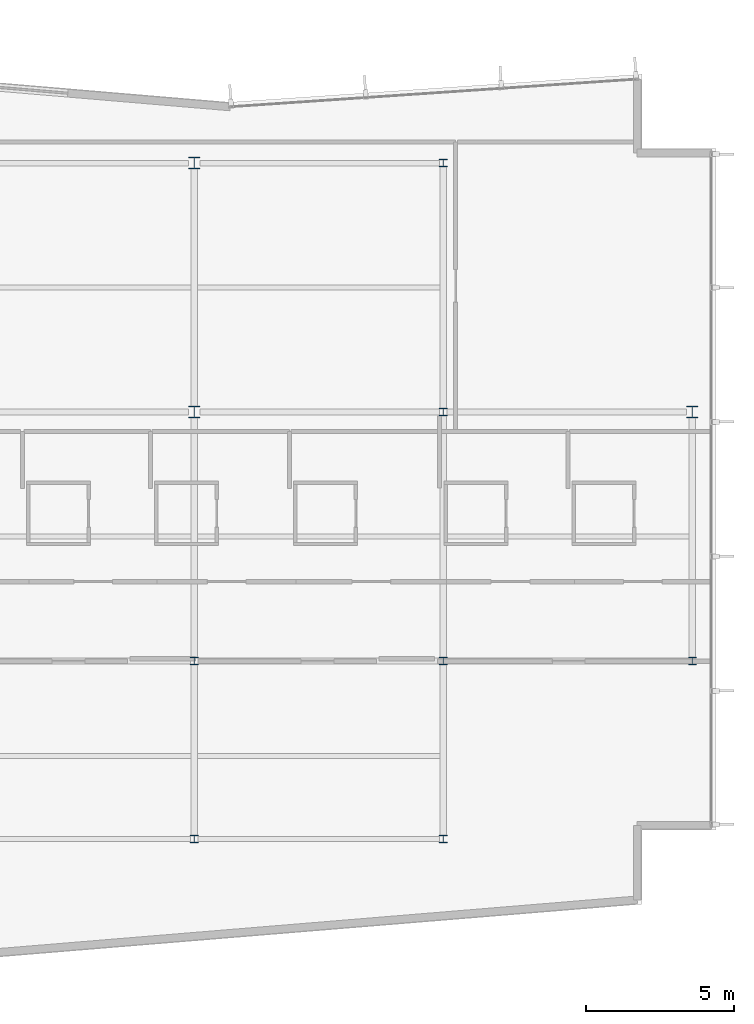
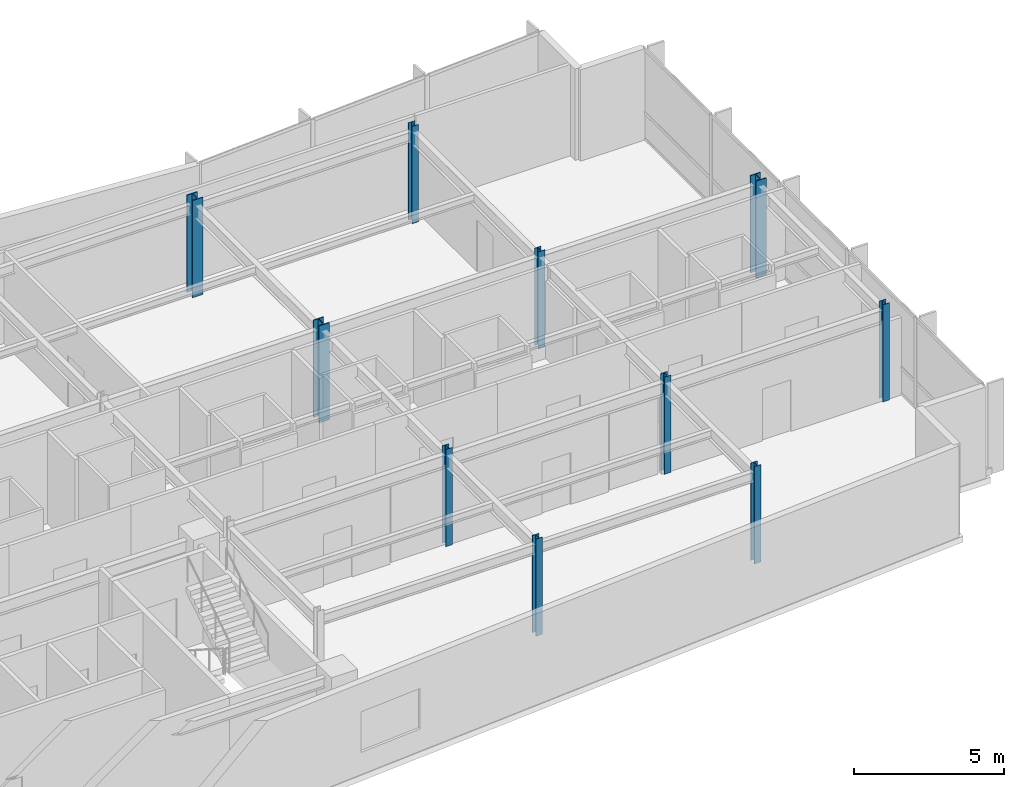
# One storey, part 2 of 17: 10 columns.
"""IFC4 building model written with IfcOpenShell, lengths in metres."""

from ifc_helpers import new_model, si_unit, direction, frame, origin, origin_2d, place, context, subcontext, project, spatial, i_section, extrude, material, material_profile, profile_set, type_object, element, save


model = new_model("IFC4")

# Units and contexts
model_context = context("Model", 3, precision=1e-05, world=origin(), true_north=direction((0.0, 1.0)))
body_context = subcontext(model_context, "Body", "Model", "MODEL_VIEW")
ifc_project = project(units=[si_unit("LENGTHUNIT", "METRE"), si_unit("AREAUNIT", "SQUARE_METRE"), si_unit("VOLUMEUNIT", "CUBIC_METRE"), si_unit("PLANEANGLEUNIT", "RADIAN"), si_unit("MASSUNIT", "GRAM", prefix="KILO")], contexts=[model_context])

# Site, building, storey
site_placement = place(None, origin())
site = spatial("IfcSite", under=ifc_project, at=site_placement, CompositionType="ELEMENT")
building_placement = place(site_placement, origin())
building = spatial("IfcBuilding", under=site, at=building_placement, Name="Varnakote Quay Hospital", CompositionType="ELEMENT")
storey_placement = place(building_placement, frame((0.0, 0.0, 227.64990234375)))
storey = spatial("IfcBuildingStorey", under=building, at=storey_placement, Name="L56", CompositionType="ELEMENT", Elevation=227.64990234375)

# Columns
ifc_material_1 = material(Name="Structural steel AS/NZS 3679.1 Grade 350 L0 (fy 340 MPa)", Category="steel")
ifc_material_profile_1 = material_profile(ifc_material_1, i_section(OverallWidth=0.256103515625, OverallDepth=0.260009765625, WebThickness=0.010498046875, FlangeThickness=0.017333984375, FilletRadius=0.0126953125, at=origin_2d()), Name="250UC89.5")
ifc_profile_set_1 = profile_set([ifc_material_profile_1], Name="Structural steel AS/NZS 3679.1 Grade 350 L0 (fy 340 MPa)")
column_type_1 = type_object("IfcColumnType", Name="COL-STL-250UC89-5", PredefinedType="COLUMN", material=ifc_profile_set_1)
for number, where, z_axis, x_axis, name in (
    (1, (33.60009765625, 6.0, 0.0), (0.0, 0.0, 1.0), (1.0, 0.0, 0.0), "L56 Structural Column C-34-6"),
    (2, (42.0, 6.0, 0.0), (0.0, 0.0, 1.0), (1.0, 0.0, 0.0), "L56 Structural Column C-42-6"),
    (3, (33.60009765625, 12.0, 0.0), (0.0, 0.0, 1.0), (1.0, 0.0, 0.0), "L56 Structural Column C-34-12"),
    (4, (42.0, 12.0, 0.0), (0.0, 0.0, 1.0), (1.0, 0.0, 0.0), "L56 Structural Column C-42-12"),
    (5, (50.39990234375, 12.0, 0.0), (0.0, 0.0, 1.0), (1.0, 0.0, 0.0), "L56 Structural Column C-50-12"),
    (6, (42.0, 20.39990234375, 0.0), (0.0, 0.0, 1.0), (1.0, 0.0, 0.0), "L56 Structural Column C-42-20"),
    (7, (42.0, 28.800048828125, 0.0), (0.0, 0.0, 1.0), (1.0, 0.0, 0.0), "L56 Structural Column C-42-29"),
):
    element("IfcColumn", number, at=place(storey_placement, frame(where, z_axis=z_axis, x_axis=x_axis)), inside=storey, type_object=column_type_1, Name=name, PredefinedType="COLUMN", context=body_context, shape_type="SweptSolid", body=[
        extrude(i_section(OverallWidth=0.256103515625, OverallDepth=0.260009765625, WebThickness=0.010498046875, FlangeThickness=0.017333984375, FilletRadius=0.0126953125, at=origin_2d()), origin(), (0.0, 0.0, 1.0), 3.9501953125),
    ])
ifc_material_2 = material(Name="Structural steel AS/NZS 3678 Grade 350 (fy 340 MPa)", Category="steel")
ifc_material_profile_2 = material_profile(ifc_material_2, i_section(OverallWidth=0.39990234375, OverallDepth=0.404052734375, WebThickness=0.02001953125, FlangeThickness=0.031982421875, at=origin_2d()), Name="400WC270")
ifc_profile_set_2 = profile_set([ifc_material_profile_2], Name="Structural steel AS/NZS 3678 Grade 350 (fy 340 MPa)")
column_type_2 = type_object("IfcColumnType", Name="COL-STL-400WC270", PredefinedType="COLUMN", material=ifc_profile_set_2)
for number, where, z_axis, x_axis, name in (
    (8, (33.60009765625, 20.39990234375, 0.0), (0.0, 0.0, 1.0), (1.0, 0.0, 0.0), "L56 Structural Column C-34-20"),
    (9, (50.39990234375, 20.39990234375, 0.0), (0.0, 0.0, 1.0), (1.0, 0.0, 0.0), "L56 Structural Column C-50-20"),
    (10, (33.60009765625, 28.800048828125, 0.0), (0.0, 0.0, 1.0), (1.0, 0.0, 0.0), "L56 Structural Column C-34-29"),
):
    element("IfcColumn", number, at=place(storey_placement, frame(where, z_axis=z_axis, x_axis=x_axis)), inside=storey, type_object=column_type_2, Name=name, PredefinedType="COLUMN", context=body_context, shape_type="SweptSolid", body=[
        extrude(i_section(OverallWidth=0.39990234375, OverallDepth=0.404052734375, WebThickness=0.02001953125, FlangeThickness=0.031982421875, at=origin_2d()), origin(), (0.0, 0.0, 1.0), 3.9501953125),
    ])

save(model, "model.ifc")
